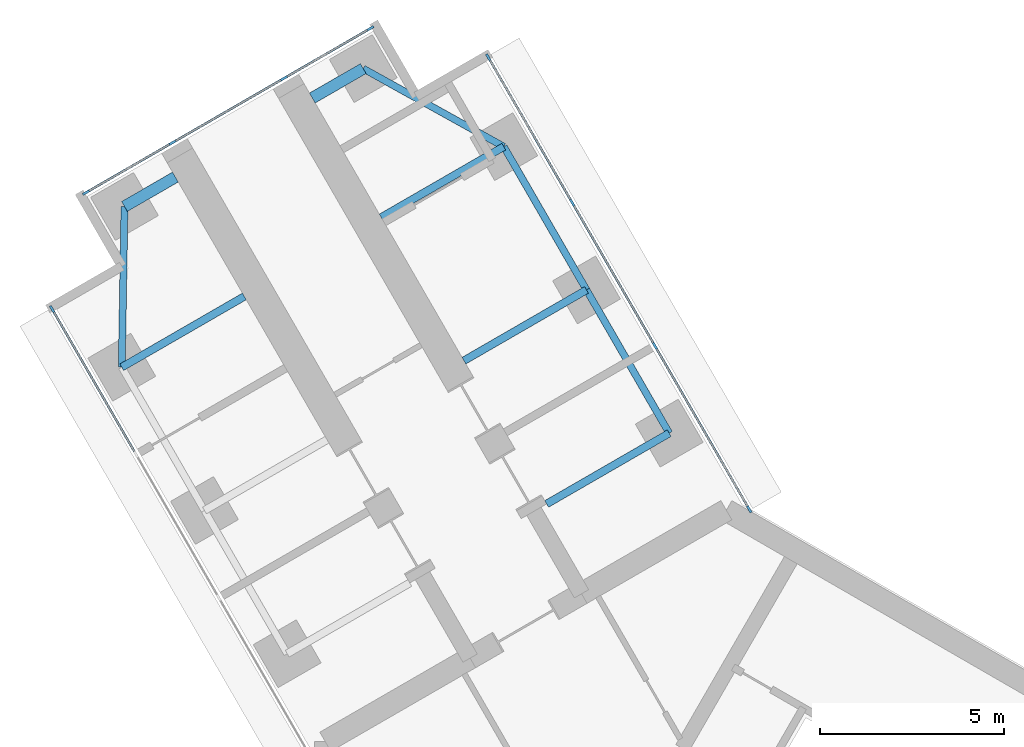
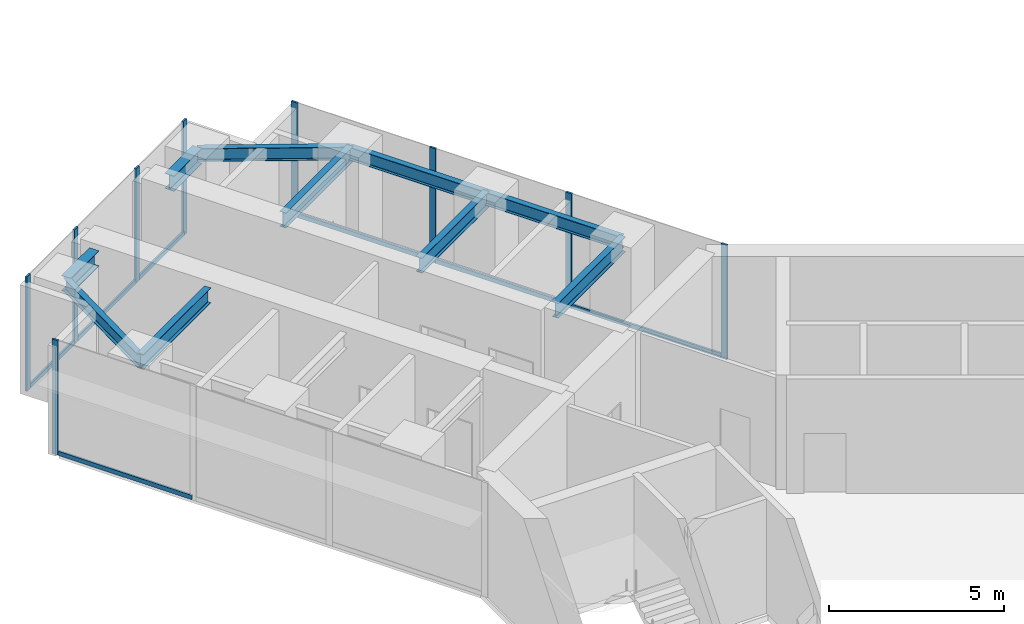
# One storey, part 6 of 21: 16 members, 10 beams, 3 elements without a shape of their own.
"""IFC4 building model written with IfcOpenShell, lengths in metres."""

from ifc_helpers import new_model, si_unit, direction, frame, origin, origin_2d, place, context, subcontext, project, spatial, rectangle, i_section, extrude, material, material_profile, profile_set, type_object, element, aggregate, save


model = new_model("IFC4")

# Units and contexts
model_context = context("Model", 3, precision=1e-05, world=origin(), true_north=direction((0.0, 1.0)))
body_context = subcontext(model_context, "Body", "Model", "MODEL_VIEW")
ifc_project = project(units=[si_unit("LENGTHUNIT", "METRE"), si_unit("AREAUNIT", "SQUARE_METRE"), si_unit("VOLUMEUNIT", "CUBIC_METRE"), si_unit("PLANEANGLEUNIT", "RADIAN"), si_unit("MASSUNIT", "GRAM", prefix="KILO")], contexts=[model_context])

# Site, building, storey
site_placement = place(None, origin())
site = spatial("IfcSite", under=ifc_project, at=site_placement, CompositionType="ELEMENT")
building_placement = place(site_placement, origin())
building = spatial("IfcBuilding", under=site, at=building_placement, Name="Upepo Twin Towers", CompositionType="ELEMENT")
storey_placement = place(building_placement, frame((0.0, 0.0, 117.5)))
storey = spatial("IfcBuildingStorey", under=building, at=storey_placement, Name="L28", CompositionType="ELEMENT", Elevation=117.5)

# Beams
ifc_material_1 = material(Name="Steel S355", Category="steel")
ifc_material_profile_1 = material_profile(ifc_material_1, i_section(OverallWidth=0.1904296875, OverallDepth=0.45703125, WebThickness=0.009033203125, FlangeThickness=0.014404296875, FilletRadius=0.01025390625, at=origin_2d()), Name="UB 457x191x74")
ifc_profile_set_1 = profile_set([ifc_material_profile_1], Name="Steel S355")
beam_type_1 = type_object("IfcBeamType", Name="Beam UB 457x191x74", PredefinedType="BEAM", material=ifc_profile_set_1)
beam_1_placement = place(storey_placement, frame((-16.446044921875, 16.485595703125, 3.571533203125), z_axis=(0.016803880528, 0.999858804832, 0.0), x_axis=(-0.999858804832, 0.016803880528, 0.0)))
element("IfcBeam", 1, at=beam_1_placement, inside=storey, type_object=beam_type_1, Name="T1 nose edge beam BL", PredefinedType="BEAM", context=body_context, shape_type="SweptSolid", body=[
    extrude(i_section(OverallWidth=0.1904296875, OverallDepth=0.45703125, WebThickness=0.009033203125, FlangeThickness=0.014404296875, FilletRadius=0.01025390625, at=origin_2d()), origin(), (0.0, 0.0, 1.0), 4.373291015625),
])
beam_2_placement = place(storey_placement, frame((-1.553955078125, 14.69140625, 3.571533203125), z_axis=(-0.500013631625, 0.866017533419, 0.0), x_axis=(-0.866017533419, -0.500013631625, 0.0)))
element("IfcBeam", 2, at=beam_2_placement, inside=storey, type_object=beam_type_1, Name="T1 edge beam BR 13.5-18.0", PredefinedType="BEAM", context=body_context, shape_type="SweptSolid", body=[
    extrude(i_section(OverallWidth=0.1904296875, OverallDepth=0.45703125, WebThickness=0.009033203125, FlangeThickness=0.014404296875, FilletRadius=0.01025390625, at=origin_2d()), origin(), (0.0, 0.0, 1.0), 4.499755859375),
])
beam_3_placement = place(storey_placement, frame((-3.803955078125, 18.58837890625, 3.571533203125), z_axis=(-0.499990139034, 0.866031096941, 0.0), x_axis=(-0.866031096941, -0.499990139034, 0.0)))
element("IfcBeam", 3, at=beam_3_placement, inside=storey, type_object=beam_type_1, Name="T1 edge beam BR 18.0-22.5", PredefinedType="BEAM", context=body_context, shape_type="SweptSolid", body=[
    extrude(i_section(OverallWidth=0.1904296875, OverallDepth=0.45703125, WebThickness=0.009033203125, FlangeThickness=0.014404296875, FilletRadius=0.01025390625, at=origin_2d()), origin(), (0.0, 0.0, 1.0), 4.5),
])
beam_4_placement = place(storey_placement, frame((-6.053955078125, 22.485595703125, 3.571533203125), z_axis=(-0.874312600038, 0.485363242752, 0.0), x_axis=(-0.485363242752, -0.874312600038, 0.0)))
element("IfcBeam", 4, at=beam_4_placement, inside=storey, type_object=beam_type_1, Name="T1 nose edge beam BR", PredefinedType="BEAM", context=body_context, shape_type="SweptSolid", body=[
    extrude(i_section(OverallWidth=0.1904296875, OverallDepth=0.45703125, WebThickness=0.009033203125, FlangeThickness=0.014404296875, FilletRadius=0.01025390625, at=origin_2d()), origin(), (0.0, 0.0, 1.0), 4.373046875),
])
ifc_material_2 = material(Name="Steel S355", Category="steel")
ifc_material_profile_2 = material_profile(ifc_material_2, i_section(OverallWidth=0.209228515625, OverallDepth=0.533203125, WebThickness=0.010009765625, FlangeThickness=0.015625, FilletRadius=0.0126953125, at=origin_2d()), Name="UB 533x210x92")
ifc_profile_set_2 = profile_set([ifc_material_profile_2], Name="Steel S355")
beam_type_2 = type_object("IfcBeamType", Name="Beam UB 533x210x92", PredefinedType="BEAM", material=ifc_profile_set_2)
for number, where, z_axis, x_axis, name in (
    (5, (-16.446044921875, 16.485595703125, 3.533447265625), (0.866006051527, 0.500033517596, 0.0), (-0.500033517596, 0.866006051527, 0.0), "T1 girder BL at 22.5"),
    (6, (-1.553955078125, 14.69140625, 3.533447265625), (-0.866006051527, -0.500033517596, 0.0), (0.500033517596, -0.866006051527, 0.0), "T1 girder BR at 13.5"),
):
    element("IfcBeam", number, at=place(storey_placement, frame(where, z_axis=z_axis, x_axis=x_axis)), inside=storey, type_object=beam_type_2, Name=name, PredefinedType="BEAM", context=body_context, shape_type="SweptSolid", body=[
        extrude(i_section(OverallWidth=0.209228515625, OverallDepth=0.533203125, WebThickness=0.010009765625, FlangeThickness=0.015625, FilletRadius=0.0126953125, at=origin_2d()), origin(), (0.0, 0.0, 1.0), 3.849853515625),
    ])
beam_5_placement = place(storey_placement, frame((-3.803955078125, 18.58837890625, 3.533447265625), z_axis=(-0.866033512162, -0.499985955615, 0.0), x_axis=(0.499985955615, -0.866033512162, 0.0)))
element("IfcBeam", 7, at=beam_5_placement, inside=storey, type_object=beam_type_2, Name="T1 girder BR at 18.0", PredefinedType="BEAM", context=body_context, shape_type="SweptSolid", body=[
    extrude(i_section(OverallWidth=0.209228515625, OverallDepth=0.533203125, WebThickness=0.010009765625, FlangeThickness=0.015625, FilletRadius=0.0126953125, at=origin_2d()), origin(), (0.0, 0.0, 1.0), 3.849609375),
])
beam_6_placement = place(storey_placement, frame((-6.053955078125, 22.485595703125, 3.533447265625), z_axis=(-0.866006051527, -0.500033517596, 0.0), x_axis=(0.500033517596, -0.866006051527, 0.0)))
element("IfcBeam", 8, at=beam_6_placement, inside=storey, type_object=beam_type_2, Name="T1 girder BR at 22.5", PredefinedType="BEAM", context=body_context, shape_type="SweptSolid", body=[
    extrude(i_section(OverallWidth=0.209228515625, OverallDepth=0.533203125, WebThickness=0.010009765625, FlangeThickness=0.015625, FilletRadius=0.0126953125, at=origin_2d()), origin(), (0.0, 0.0, 1.0), 3.849853515625),
])
ifc_material_3 = material(Name="Steel S355", Category="steel")
ifc_material_profile_3 = material_profile(ifc_material_3, i_section(OverallWidth=0.31201171875, OverallDepth=0.54345703125, WebThickness=0.0126953125, FlangeThickness=0.020263671875, FilletRadius=0.0126953125, at=origin_2d()), Name="UB 533x312x150")
ifc_profile_set_3 = profile_set([ifc_material_profile_3], Name="Steel S355")
beam_type_3 = type_object("IfcBeamType", Name="Beam UB 533x312x150", PredefinedType="BEAM", material=ifc_profile_set_3)
for number, where, z_axis, x_axis, name in (
    (9, (-16.37255859375, 20.858154296875, 3.5283203125), (0.865989903783, 0.500061482766, 0.0), (-0.500061482766, 0.865989903783, 0.0), "T1 nose beam BL"),
    (10, (-9.87744140625, 24.608154296875, 3.5283203125), (-0.865989903783, -0.500061482766, 0.0), (0.500061482766, -0.865989903783, 0.0), "T1 nose beam BR"),
):
    element("IfcBeam", number, at=place(storey_placement, frame(where, z_axis=z_axis, x_axis=x_axis)), inside=storey, type_object=beam_type_3, Name=name, PredefinedType="BEAM", context=body_context, shape_type="SweptSolid", body=[
        extrude(i_section(OverallWidth=0.31201171875, OverallDepth=0.54345703125, WebThickness=0.0126953125, FlangeThickness=0.020263671875, FilletRadius=0.0126953125, at=origin_2d()), origin(), (0.0, 0.0, 1.0), 1.599853515625),
    ])

# Curtain wall, member
ifc_material_4 = material(Name="Aluminium and fritted glass", Category="aluminium")
curtain_wall_type = type_object("IfcCurtainWallType", Name="Tower curtain wall TW2, fritted glass", PredefinedType="NOTDEFINED", material=ifc_material_4)
curtain_wall_1_placement = place(storey_placement, origin())
curtain_wall_1 = element("IfcCurtainWall", 11, at=curtain_wall_1_placement, inside=storey, type_object=curtain_wall_type, Name="T1 L28 wing B flank L curtain wall", PredefinedType="NOTDEFINED")
ifc_material_5 = material(Name="Aluminium mullion", Category="aluminium")
ifc_material_profile_4 = material_profile(ifc_material_5, rectangle(XDim=0.06494140625, YDim=0.199951171875, at=origin_2d()), Name="MULLION 65x200")
ifc_profile_set_4 = profile_set([ifc_material_profile_4], Name="Aluminium mullion")
member_type_1 = type_object("IfcMemberType", Name="Mullion 65x200 TW2", PredefinedType="MULLION", material=ifc_profile_set_4)
member_1_placement = place(storey_placement, frame((-18.341064453125, 18.067626953125, 0.0), z_axis=(0.0, 0.0, 1.0), x_axis=(-0.866025397833, -0.500000010308, 0.0)))
member_1 = element("IfcMember", 12, at=member_1_placement, type_object=member_type_1, Name="T1 L28 wing B flank L curtain wall mullion 4", PredefinedType="MULLION", context=body_context, shape_type="SweptSolid", body=[
    extrude(rectangle(XDim=0.06494140625, YDim=0.199951171875, at=origin_2d()), origin(), (0.0, 0.0, 1.0), 4.0),
])

# Curtain wall, members
curtain_wall_2_placement = place(storey_placement, origin())
curtain_wall_2 = element("IfcCurtainWall", 13, at=curtain_wall_2_placement, inside=storey, type_object=curtain_wall_type, Name="T1 L28 wing B flank R curtain wall", PredefinedType="NOTDEFINED")
member_2_placement = place(storey_placement, frame((-6.4765625, 24.91748046875, 0.0), z_axis=(0.0, 0.0, 1.0), x_axis=(0.866025397833, 0.500000010308, 0.0)))
member_2 = element("IfcMember", 14, at=member_2_placement, type_object=member_type_1, Name="T1 L28 wing B flank R curtain wall mullion 1", PredefinedType="MULLION", context=body_context, shape_type="SweptSolid", body=[
    extrude(rectangle(XDim=0.06494140625, YDim=0.199951171875, at=origin_2d()), origin(), (0.0, 0.0, 1.0), 4.0),
])
member_3_placement = place(storey_placement, frame((-4.192626953125, 20.9619140625, 0.0), z_axis=(0.0, 0.0, 1.0), x_axis=(0.866025397833, 0.500000010308, 0.0)))
member_3 = element("IfcMember", 15, at=member_3_placement, type_object=member_type_1, Name="T1 L28 wing B flank R curtain wall mullion 2", PredefinedType="MULLION", context=body_context, shape_type="SweptSolid", body=[
    extrude(rectangle(XDim=0.06494140625, YDim=0.199951171875, at=origin_2d()), origin(), (0.0, 0.0, 1.0), 4.0),
])
member_4_placement = place(storey_placement, frame((-1.942626953125, 17.06494140625, 0.0), z_axis=(0.0, 0.0, 1.0), x_axis=(0.866025397833, 0.500000010308, 0.0)))
member_4 = element("IfcMember", 16, at=member_4_placement, type_object=member_type_1, Name="T1 L28 wing B flank R curtain wall mullion 3", PredefinedType="MULLION", context=body_context, shape_type="SweptSolid", body=[
    extrude(rectangle(XDim=0.06494140625, YDim=0.199951171875, at=origin_2d()), origin(), (0.0, 0.0, 1.0), 4.0),
])
member_5_placement = place(storey_placement, frame((0.62255859375, 12.621826171875, 0.0), z_axis=(0.0, 0.0, 1.0), x_axis=(0.866025397833, 0.500000010308, 0.0)))
member_5 = element("IfcMember", 17, at=member_5_placement, type_object=member_type_1, Name="T1 L28 wing B flank R curtain wall mullion 4", PredefinedType="MULLION", context=body_context, shape_type="SweptSolid", body=[
    extrude(rectangle(XDim=0.06494140625, YDim=0.199951171875, at=origin_2d()), origin(), (0.0, 0.0, 1.0), 4.0),
])

curtain_wall_3_placement = place(storey_placement, origin())
curtain_wall_3 = element("IfcCurtainWall", 18, at=curtain_wall_3_placement, inside=storey, type_object=curtain_wall_type, Name="T1 L28 wing B nose curtain wall", PredefinedType="NOTDEFINED")
member_6_placement = place(storey_placement, frame((-9.68115234375, 25.703125, 0.0), z_axis=(0.0, 0.0, 1.0), x_axis=(0.500000030502, -0.866025386174, 0.0)))
member_6 = element("IfcMember", 19, at=member_6_placement, type_object=member_type_1, Name="T1 L28 wing B nose curtain wall mullion 1", PredefinedType="MULLION", context=body_context, shape_type="SweptSolid", body=[
    extrude(rectangle(XDim=0.06494140625, YDim=0.199951171875, at=origin_2d()), origin(), (0.0, 0.0, 1.0), 4.0),
])
member_7_placement = place(storey_placement, frame((-12.034423828125, 24.34423828125, 0.0), z_axis=(0.0, 0.0, 1.0), x_axis=(0.500000030502, -0.866025386174, 0.0)))
member_7 = element("IfcMember", 20, at=member_7_placement, type_object=member_type_1, Name="T1 L28 wing B nose curtain wall mullion 2", PredefinedType="MULLION", context=body_context, shape_type="SweptSolid", body=[
    extrude(rectangle(XDim=0.06494140625, YDim=0.199951171875, at=origin_2d()), origin(), (0.0, 0.0, 1.0), 4.0),
])
member_8_placement = place(storey_placement, frame((-15.0654296875, 22.59423828125, 0.0), z_axis=(0.0, 0.0, 1.0), x_axis=(0.500000030502, -0.866025386174, 0.0)))
member_8 = element("IfcMember", 21, at=member_8_placement, type_object=member_type_1, Name="T1 L28 wing B nose curtain wall mullion 3", PredefinedType="MULLION", context=body_context, shape_type="SweptSolid", body=[
    extrude(rectangle(XDim=0.06494140625, YDim=0.199951171875, at=origin_2d()), origin(), (0.0, 0.0, 1.0), 4.0),
])
member_9_placement = place(storey_placement, frame((-17.4189453125, 21.235595703125, 0.0), z_axis=(0.0, 0.0, 1.0), x_axis=(0.500000030502, -0.866025386174, 0.0)))
member_9 = element("IfcMember", 22, at=member_9_placement, type_object=member_type_1, Name="T1 L28 wing B nose curtain wall mullion 4", PredefinedType="MULLION", context=body_context, shape_type="SweptSolid", body=[
    extrude(rectangle(XDim=0.06494140625, YDim=0.199951171875, at=origin_2d()), origin(), (0.0, 0.0, 1.0), 4.0),
])

# Member
ifc_material_6 = material(Name="Aluminium transom", Category="aluminium")
ifc_material_profile_5 = material_profile(ifc_material_6, rectangle(XDim=0.06494140625, YDim=0.14990234375, at=origin_2d()), Name="TRANSOM 65x150")
ifc_profile_set_5 = profile_set([ifc_material_profile_5], Name="Aluminium transom")
member_type_2 = type_object("IfcMemberType", Name="Transom 65x150 TW2", PredefinedType="USERDEFINED", material=ifc_profile_set_5)
member_10_placement = place(storey_placement, frame((-16.073486328125, 14.14013671875, 0.074951171875), z_axis=(-0.499982167615, 0.866035699072, 0.0), x_axis=(-0.866035699072, -0.499982167615, 0.0)))
member_10 = element("IfcMember", 23, at=member_10_placement, type_object=member_type_2, Name="T1 L28 wing B flank L curtain wall transom 3", ObjectType="TRANSOM", PredefinedType="USERDEFINED", context=body_context, shape_type="SweptSolid", body=[
    extrude(rectangle(XDim=0.06494140625, YDim=0.14990234375, at=origin_2d()), origin(), (0.0, 0.0, 1.0), 4.502685546875),
])

aggregate(curtain_wall_1, [member_1, member_10])

member_11_placement = place(storey_placement, frame((-6.460205078125, 24.889404296875, 0.074951171875), z_axis=(0.500005646842, -0.866022143554, 0.0), x_axis=(0.866022143554, 0.500005646842, 0.0)))
member_11 = element("IfcMember", 24, at=member_11_placement, type_object=member_type_2, Name="T1 L28 wing B flank R curtain wall transom 1", ObjectType="TRANSOM", PredefinedType="USERDEFINED", context=body_context, shape_type="SweptSolid", body=[
    extrude(rectangle(XDim=0.06494140625, YDim=0.14990234375, at=origin_2d()), origin(), (0.0, 0.0, 1.0), 4.50244140625),
])

member_12_placement = place(storey_placement, frame((-4.176513671875, 20.933837890625, 0.074951171875), z_axis=(0.500005184116, -0.866022410713, 0.0), x_axis=(0.866022410713, 0.500005184116, 0.0)))
member_12 = element("IfcMember", 25, at=member_12_placement, type_object=member_type_2, Name="T1 L28 wing B flank R curtain wall transom 2", ObjectType="TRANSOM", PredefinedType="USERDEFINED", context=body_context, shape_type="SweptSolid", body=[
    extrude(rectangle(XDim=0.06494140625, YDim=0.14990234375, at=origin_2d()), origin(), (0.0, 0.0, 1.0), 4.43505859375),
])

member_13_placement = place(storey_placement, frame((-1.926513671875, 17.036865234375, 0.074951171875), z_axis=(0.499985288567, -0.866033897268, 0.0), x_axis=(0.866033897268, 0.499985288567, 0.0)))
member_13 = element("IfcMember", 26, at=member_13_placement, type_object=member_type_2, Name="T1 L28 wing B flank R curtain wall transom 3", ObjectType="TRANSOM", PredefinedType="USERDEFINED", context=body_context, shape_type="SweptSolid", body=[
    extrude(rectangle(XDim=0.06494140625, YDim=0.14990234375, at=origin_2d()), origin(), (0.0, 0.0, 1.0), 5.065673828125),
])

aggregate(curtain_wall_2, [member_2, member_3, member_4, member_5, member_11, member_12, member_13])

member_14_placement = place(storey_placement, frame((-9.709228515625, 25.686767578125, 0.074951171875), z_axis=(-0.866036909293, -0.499980071345, 0.0), x_axis=(0.499980071345, -0.866036909293, 0.0)))
member_14 = element("IfcMember", 27, at=member_14_placement, type_object=member_type_2, Name="T1 L28 wing B nose curtain wall transom 1", ObjectType="TRANSOM", PredefinedType="USERDEFINED", context=body_context, shape_type="SweptSolid", body=[
    extrude(rectangle(XDim=0.06494140625, YDim=0.14990234375, at=origin_2d()), origin(), (0.0, 0.0, 1.0), 2.65234375),
])

member_15_placement = place(storey_placement, frame((-12.0625, 24.328125, 0.074951171875), z_axis=(-0.866025804792, -0.499999305434, 0.0), x_axis=(0.499999305434, -0.866025804792, 0.0)))
member_15 = element("IfcMember", 28, at=member_15_placement, type_object=member_type_2, Name="T1 L28 wing B nose curtain wall transom 2", ObjectType="TRANSOM", PredefinedType="USERDEFINED", context=body_context, shape_type="SweptSolid", body=[
    extrude(rectangle(XDim=0.06494140625, YDim=0.14990234375, at=origin_2d()), origin(), (0.0, 0.0, 1.0), 3.43505859375),
])

member_16_placement = place(storey_placement, frame((-15.09375, 22.578125, 0.074951171875), z_axis=(-0.865997053448, -0.500049101008, 0.0), x_axis=(0.500049101008, -0.865997053448, 0.0)))
member_16 = element("IfcMember", 29, at=member_16_placement, type_object=member_type_2, Name="T1 L28 wing B nose curtain wall transom 3", ObjectType="TRANSOM", PredefinedType="USERDEFINED", context=body_context, shape_type="SweptSolid", body=[
    extrude(rectangle(XDim=0.06494140625, YDim=0.14990234375, at=origin_2d()), origin(), (0.0, 0.0, 1.0), 2.652587890625),
])

aggregate(curtain_wall_3, [member_6, member_7, member_8, member_9, member_14, member_15, member_16])

save(model, "model.ifc")
